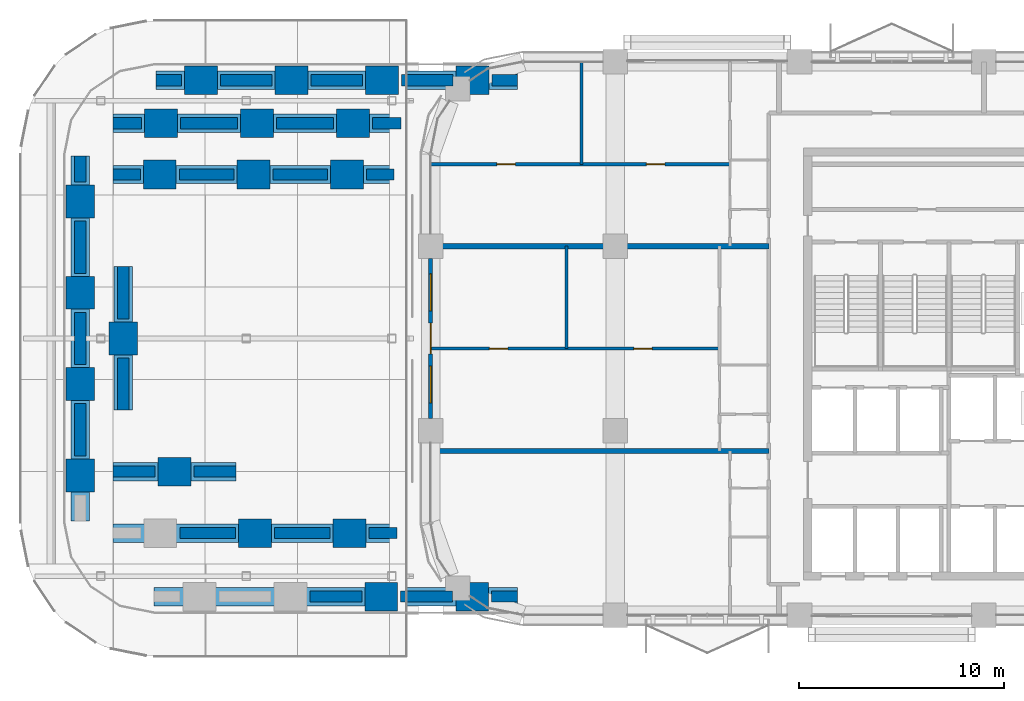
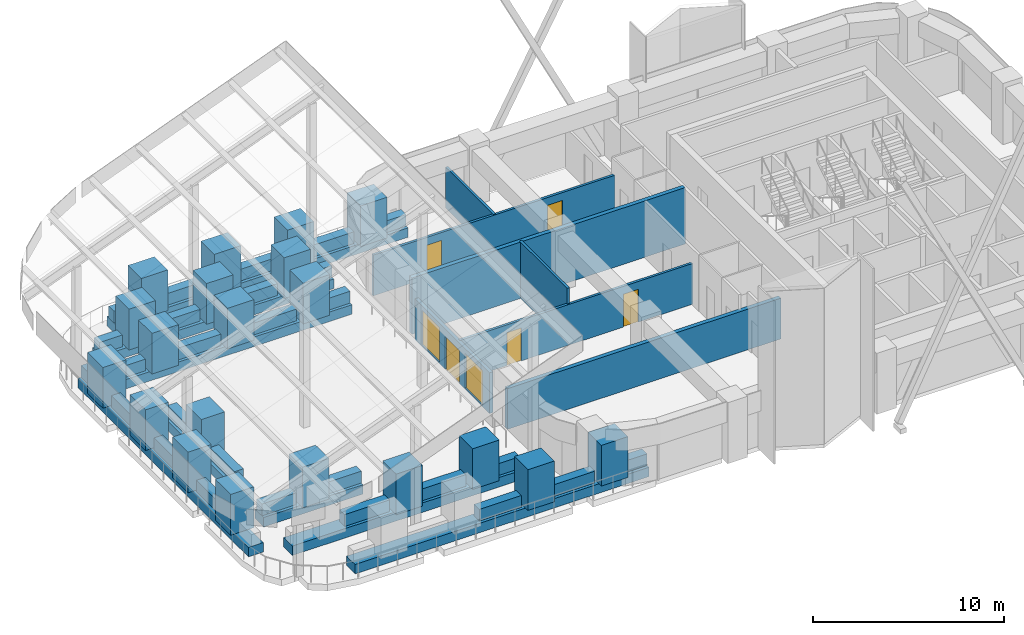
# One storey, part 8 of 13: 62 walls, 5 doors, 2 windows, 7 openings.
"""IFC4 building model written with IfcOpenShell, lengths in metres."""

from ifc_helpers import new_model, si_unit, direction, frame, frame_2d, origin, place, context, subcontext, project, spatial, rectangle, extrude, material, layer, layer_set, type_object, element, fill, save


model = new_model("IFC4")

# Units and contexts
model_context = context("Model", 3, precision=1e-05, world=origin(), true_north=direction((0.0, 1.0)))
body_context = subcontext(model_context, "Body", "Model", "MODEL_VIEW")
ifc_project = project(units=[si_unit("LENGTHUNIT", "METRE"), si_unit("AREAUNIT", "SQUARE_METRE"), si_unit("VOLUMEUNIT", "CUBIC_METRE"), si_unit("PLANEANGLEUNIT", "RADIAN"), si_unit("MASSUNIT", "GRAM", prefix="KILO")], contexts=[model_context])

# Site, building, storey
site_placement = place(None, origin())
site = spatial("IfcSite", under=ifc_project, at=site_placement, CompositionType="ELEMENT")
building_placement = place(site_placement, origin())
building = spatial("IfcBuilding", under=site, at=building_placement, Name="Tessera Arch", CompositionType="ELEMENT")
storey_placement = place(building_placement, frame((0.0, 0.0, 234.5)))
storey = spatial("IfcBuildingStorey", under=building, at=storey_placement, Name="L56", CompositionType="ELEMENT", Elevation=234.5)

# Wall, openings, windows, door
ifc_material_1 = material(Name="Aluminium cladding pale metal anodised", Category="aluminium")
ifc_layer_1 = layer(ifc_material_1, 0.199951171875)
ifc_layer_set_1 = layer_set([ifc_layer_1], Name="Envelope wall pale metal")
wall_type_1 = type_object("IfcWallType", Name="Envelope wall pale metal", PredefinedType="SOLIDWALL", material=ifc_layer_set_1)
wall_1_placement = place(storey_placement, frame((18.0, 44.39990234375, 0.0), z_axis=(0.0, 0.0, 1.0), x_axis=(0.0, -1.0, 0.0)))
wall_1 = element("IfcWall", 1, at=wall_1_placement, inside=storey, type_object=wall_type_1, Name="Door bay wall W18.27/1 L56", PredefinedType="SOLIDWALL", context=body_context, shape_type="SweptSolid", body=[
    extrude(rectangle(XDim=7.7998046875, YDim=0.199951171875, at=frame_2d((3.89990234375, 0.0))), origin(), (0.0, 0.0, 1.0), 2.60009765625),
])
opening_1_placement = place(wall_1_placement, frame((3.14990234375, 0.0, 0.0)))
opening_1 = element("IfcOpeningElement", 2, at=opening_1_placement, cuts=wall_1, Name="Opening L56-X01", PredefinedType="OPENING", context=body_context, shape_type="SweptSolid", body=[
    extrude(rectangle(XDim=1.5, YDim=2.10009765625, at=frame_2d((0.75, 1.050048828125))), frame((0.0, 0.10986328125, 0.0), z_axis=(0.0, -1.0, 0.0), x_axis=(1.0, 0.0, 0.0)), (0.0, 0.0, 1.0), 0.219970703125),
])
opening_2_placement = place(wall_1_placement, frame((0.75, 0.0, 0.10009765625)))
opening_2 = element("IfcOpeningElement", 3, at=opening_2_placement, cuts=wall_1, Name="Opening L56-SL15", PredefinedType="OPENING", context=body_context, shape_type="SweptSolid", body=[
    extrude(rectangle(XDim=1.800048828125, YDim=2.199951171875, at=frame_2d((0.89990234375, 1.10009765625))), frame((0.0, 0.10986328125, 0.0), z_axis=(0.0, -1.0, 0.0), x_axis=(1.0, 0.0, 0.0)), (0.0, 0.0, 1.0), 0.219970703125),
])
opening_3_placement = place(wall_1_placement, frame((5.25, 0.0, 0.10009765625)))
opening_3 = element("IfcOpeningElement", 4, at=opening_3_placement, cuts=wall_1, Name="Opening L56-SL16", PredefinedType="OPENING", context=body_context, shape_type="SweptSolid", body=[
    extrude(rectangle(XDim=1.800048828125, YDim=2.199951171875, at=frame_2d((0.89990234375, 1.10009765625))), frame((0.0, 0.10986328125, 0.0), z_axis=(0.0, -1.0, 0.0), x_axis=(1.0, 0.0, 0.0)), (0.0, 0.0, 1.0), 0.219970703125),
])
ifc_material_2 = material(Name="Clear low-e glass in aluminium frame", Category="aluminium")
window_type = type_object("IfcWindowType", Name="Sidelight fixed clear glass", PartitioningType="SINGLE_PANEL", PredefinedType="WINDOW", material=ifc_material_2)
window_1_placement = place(opening_2_placement, origin())
window_1 = element("IfcWindow", 5, at=window_1_placement, inside=storey, type_object=window_type, Name="Sidelight L56-X-W18.27/1-1", OverallHeight=2.199951171875, OverallWidth=1.800048828125, PartitioningType="SINGLE_PANEL", PredefinedType="WINDOW", context=body_context, shape_type="SweptSolid", body=[
    extrude(rectangle(XDim=1.800048828125, YDim=2.199951171875, at=frame_2d((0.89990234375, 1.10009765625))), frame((0.0, 0.030029296875, 0.0), z_axis=(0.0, -1.0, 0.0), x_axis=(1.0, 0.0, 0.0)), (0.0, 0.0, 1.0), 0.06005859375),
])
fill(opening_2, window_1)
window_2_placement = place(opening_3_placement, origin())
window_2 = element("IfcWindow", 6, at=window_2_placement, inside=storey, type_object=window_type, Name="Sidelight L56-X-W18.27/1-1", OverallHeight=2.199951171875, OverallWidth=1.800048828125, PartitioningType="SINGLE_PANEL", PredefinedType="WINDOW", context=body_context, shape_type="SweptSolid", body=[
    extrude(rectangle(XDim=1.800048828125, YDim=2.199951171875, at=frame_2d((0.89990234375, 1.10009765625))), frame((0.0, 0.030029296875, 0.0), z_axis=(0.0, -1.0, 0.0), x_axis=(1.0, 0.0, 0.0)), (0.0, 0.0, 1.0), 0.06005859375),
])
fill(opening_3, window_2)
ifc_material_3 = material(Name="Aluminium frame and clear glass", Category="aluminium")
door_type_1 = type_object("IfcDoorType", Name="Terrace door glazed double leaf", OperationType="DOUBLE_DOOR_SINGLE_SWING", PredefinedType="DOOR", material=ifc_material_3)
door_1_placement = place(opening_1_placement, origin())
door_1 = element("IfcDoor", 7, at=door_1_placement, inside=storey, type_object=door_type_1, Name="Door L56-X-W18.27/1-1 X01", OperationType="DOUBLE_DOOR_SINGLE_SWING", OverallHeight=2.10009765625, OverallWidth=1.5, PredefinedType="DOOR", context=body_context, shape_type="SweptSolid", body=[
    extrude(rectangle(XDim=1.5, YDim=2.10009765625, at=frame_2d((0.75, 1.050048828125))), frame((0.0, 0.02490234375, 0.0), z_axis=(0.0, -1.0, 0.0), x_axis=(1.0, 0.0, 0.0)), (0.0, 0.0, 1.0), 0.050048828125),
])
fill(opening_1, door_1)

# Wall, openings, doors
ifc_material_4 = material(Name="Gypsum board on steel stud", Category="steel")
ifc_layer_2 = layer(ifc_material_4, 0.14990234375)
ifc_layer_set_2 = layer_set([ifc_layer_2], Name="Partition 150")
wall_type_2 = type_object("IfcWallType", Name="Partition 150", PredefinedType="PARTITIONING", material=ifc_layer_set_2)
wall_2_placement = place(storey_placement, frame((18.025390625, 40.0, 0.0), z_axis=(0.0, 0.0, 1.0), x_axis=(1.0, 0.0, 0.0)))
wall_2 = element("IfcWall", 8, at=wall_2_placement, inside=storey, type_object=wall_type_2, Name="L56 partition 6", PredefinedType="PARTITIONING", context=body_context, shape_type="SweptSolid", body=[
    extrude(rectangle(XDim=14.07470703125, YDim=0.14990234375, at=frame_2d((7.037353515625, 0.0))), origin(), (0.0, 0.0, 1.0), 2.60009765625),
])
opening_4_placement = place(wall_2_placement, frame((9.887939453125, 0.0, 0.0)))
opening_4 = element("IfcOpeningElement", 9, at=opening_4_placement, cuts=wall_2, Name="Opening L56-D012", PredefinedType="OPENING", context=body_context, shape_type="SweptSolid", body=[
    extrude(rectangle(XDim=0.89990234375, YDim=2.10009765625, at=frame_2d((0.449951171875, 1.050048828125))), frame((0.0, 0.0849609375, 0.0), z_axis=(0.0, -1.0, 0.0), x_axis=(1.0, 0.0, 0.0)), (0.0, 0.0, 1.0), 0.169921875),
])
opening_5_placement = place(wall_2_placement, frame((2.837890625, 0.0, 0.0)))
opening_5 = element("IfcOpeningElement", 10, at=opening_5_placement, cuts=wall_2, Name="Opening L56-D013", PredefinedType="OPENING", context=body_context, shape_type="SweptSolid", body=[
    extrude(rectangle(XDim=0.89990234375, YDim=2.10009765625, at=frame_2d((0.449951171875, 1.050048828125))), frame((0.0, 0.0849609375, 0.0), z_axis=(0.0, -1.0, 0.0), x_axis=(1.0, 0.0, 0.0)), (0.0, 0.0, 1.0), 0.169921875),
])
ifc_material_5 = material(Name="Timber door leaf", Category="wood")
door_type_2 = type_object("IfcDoorType", Name="Room door 900 x 2100", OperationType="SINGLE_SWING_LEFT", PredefinedType="DOOR", material=ifc_material_5)
door_2_placement = place(opening_4_placement, origin())
door_2 = element("IfcDoor", 11, at=door_2_placement, inside=storey, type_object=door_type_2, Name="L56 door D012 type D01", OperationType="SINGLE_SWING_RIGHT", OverallHeight=2.10009765625, OverallWidth=0.89990234375, PredefinedType="DOOR", context=body_context, shape_type="SweptSolid", body=[
    extrude(rectangle(XDim=0.89990234375, YDim=2.10009765625, at=frame_2d((0.449951171875, 1.050048828125))), frame((0.0, 0.02490234375, 0.0), z_axis=(0.0, -1.0, 0.0), x_axis=(1.0, 0.0, 0.0)), (0.0, 0.0, 1.0), 0.050048828125),
])
fill(opening_4, door_2)
door_3_placement = place(opening_5_placement, origin())
door_3 = element("IfcDoor", 12, at=door_3_placement, inside=storey, type_object=door_type_2, Name="L56 door D013 type D01", OperationType="SINGLE_SWING_RIGHT", OverallHeight=2.10009765625, OverallWidth=0.89990234375, PredefinedType="DOOR", context=body_context, shape_type="SweptSolid", body=[
    extrude(rectangle(XDim=0.89990234375, YDim=2.10009765625, at=frame_2d((0.449951171875, 1.050048828125))), frame((0.0, 0.02490234375, 0.0), z_axis=(0.0, -1.0, 0.0), x_axis=(1.0, 0.0, 0.0)), (0.0, 0.0, 1.0), 0.050048828125),
])
fill(opening_5, door_3)

wall_3_placement = place(storey_placement, frame((18.0, 49.0, 0.0), z_axis=(0.0, 0.0, 1.0), x_axis=(1.0, 0.0, 0.0)))
wall_3 = element("IfcWall", 13, at=wall_3_placement, inside=storey, type_object=wall_type_2, Name="L56 partition 7", PredefinedType="PARTITIONING", context=body_context, shape_type="SweptSolid", body=[
    extrude(rectangle(XDim=14.60009765625, YDim=0.14990234375, at=frame_2d((7.300048828125, 0.0))), origin(), (0.0, 0.0, 1.0), 2.60009765625),
])
opening_6_placement = place(wall_3_placement, frame((10.53271484375, 0.0, 0.0)))
opening_6 = element("IfcOpeningElement", 14, at=opening_6_placement, cuts=wall_3, Name="Opening L56-D020", PredefinedType="OPENING", context=body_context, shape_type="SweptSolid", body=[
    extrude(rectangle(XDim=0.89990234375, YDim=2.10009765625, at=frame_2d((0.449951171875, 1.050048828125))), frame((0.0, 0.0849609375, 0.0), z_axis=(0.0, -1.0, 0.0), x_axis=(1.0, 0.0, 0.0)), (0.0, 0.0, 1.0), 0.169921875),
])
opening_7_placement = place(wall_3_placement, frame((3.23291015625, 0.0, 0.0)))
opening_7 = element("IfcOpeningElement", 15, at=opening_7_placement, cuts=wall_3, Name="Opening L56-D021", PredefinedType="OPENING", context=body_context, shape_type="SweptSolid", body=[
    extrude(rectangle(XDim=0.89990234375, YDim=2.10009765625, at=frame_2d((0.449951171875, 1.050048828125))), frame((0.0, 0.0849609375, 0.0), z_axis=(0.0, -1.0, 0.0), x_axis=(1.0, 0.0, 0.0)), (0.0, 0.0, 1.0), 0.169921875),
])
door_4_placement = place(opening_6_placement, origin())
door_4 = element("IfcDoor", 16, at=door_4_placement, inside=storey, type_object=door_type_2, Name="L56 door D020 type D01", OperationType="SINGLE_SWING_RIGHT", OverallHeight=2.10009765625, OverallWidth=0.89990234375, PredefinedType="DOOR", context=body_context, shape_type="SweptSolid", body=[
    extrude(rectangle(XDim=0.89990234375, YDim=2.10009765625, at=frame_2d((0.449951171875, 1.050048828125))), frame((0.0, 0.02490234375, 0.0), z_axis=(0.0, -1.0, 0.0), x_axis=(1.0, 0.0, 0.0)), (0.0, 0.0, 1.0), 0.050048828125),
])
fill(opening_6, door_4)
door_5_placement = place(opening_7_placement, origin())
door_5 = element("IfcDoor", 17, at=door_5_placement, inside=storey, type_object=door_type_2, Name="L56 door D021 type D01", OperationType="SINGLE_SWING_RIGHT", OverallHeight=2.10009765625, OverallWidth=0.89990234375, PredefinedType="DOOR", context=body_context, shape_type="SweptSolid", body=[
    extrude(rectangle(XDim=0.89990234375, YDim=2.10009765625, at=frame_2d((0.449951171875, 1.050048828125))), frame((0.0, 0.02490234375, 0.0), z_axis=(0.0, -1.0, 0.0), x_axis=(1.0, 0.0, 0.0)), (0.0, 0.0, 1.0), 0.050048828125),
])
fill(opening_7, door_5)

# Walls
wall_4_placement = place(storey_placement, frame((24.626953125, 40.0, 0.0), z_axis=(0.0, 0.0, 1.0), x_axis=(0.0, 1.0, 0.0)))
element("IfcWall", 18, at=wall_4_placement, inside=storey, type_object=wall_type_2, Name="L56 partition 8", PredefinedType="PARTITIONING", context=body_context, shape_type="SweptSolid", body=[
    extrude(rectangle(XDim=5.0, YDim=0.14990234375, at=frame_2d((2.5, 0.0))), origin(), (0.0, 0.0, 1.0), 3.60009765625),
])
wall_5_placement = place(storey_placement, frame((25.365966796875, 49.0, 0.0), z_axis=(0.0, 0.0, 1.0), x_axis=(0.0, 1.0, 0.0)))
element("IfcWall", 19, at=wall_5_placement, inside=storey, type_object=wall_type_2, Name="L56 partition 9", PredefinedType="PARTITIONING", context=body_context, shape_type="SweptSolid", body=[
    extrude(rectangle(XDim=5.0, YDim=0.14990234375, at=frame_2d((2.5, 0.0))), origin(), (0.0, 0.0, 1.0), 2.60009765625),
])
ifc_material_6 = material(Name="Double gypsum board on twin steel stud with acoustic mineral wool", Category="steel")
ifc_layer_3 = layer(ifc_material_6, 0.25)
ifc_layer_set_3 = layer_set([ifc_layer_3], Name="Party wall 250 EI 60")
wall_type_3 = type_object("IfcWallType", Name="Party wall 250 EI 60", PredefinedType="PARTITIONING", material=ifc_layer_set_3)
wall_6_placement = place(storey_placement, frame((18.0, 35.0, 0.0), z_axis=(0.0, 0.0, 1.0), x_axis=(1.0, 0.0, 0.0)))
element("IfcWall", 20, at=wall_6_placement, inside=storey, type_object=wall_type_3, Name="L56 partition 16", PredefinedType="PARTITIONING", context=body_context, shape_type="SweptSolid", body=[
    extrude(rectangle(XDim=16.5, YDim=0.25, at=frame_2d((8.25, 0.0))), origin(), (0.0, 0.0, 1.0), 2.60009765625),
])
wall_7_placement = place(storey_placement, frame((18.0, 45.0, 0.0), z_axis=(0.0, 0.0, 1.0), x_axis=(1.0, 0.0, 0.0)))
element("IfcWall", 21, at=wall_7_placement, inside=storey, type_object=wall_type_3, Name="L56 partition 18", PredefinedType="PARTITIONING", context=body_context, shape_type="SweptSolid", body=[
    extrude(rectangle(XDim=16.5, YDim=0.25, at=frame_2d((8.25, 0.0))), origin(), (0.0, 0.0, 1.0), 3.60009765625),
])
ifc_material_7 = material(Name="Precast concrete C40/50", Category="concrete")
ifc_layer_4 = layer(ifc_material_7, 1.39990234375)
ifc_layer_set_4 = layer_set([ifc_layer_4], Name="Planter bed 1400 wide")
wall_type_4 = type_object("IfcWallType", Name="Planter bed 1400 wide", PredefinedType="SOLIDWALL", material=ifc_layer_set_4)
for number, where, z_axis, x_axis, name in (
    (22, (8.626708984375, 31.0, 0.60009765625), (0.0, 0.0, 1.0), (1.0, 0.0, 0.0), "Tree planting on bed garden bed 1 2"),
    (23, (13.24462890625, 31.0, 0.60009765625), (0.0, 0.0, 1.0), (1.0, 0.0, 0.0), "Tree planting on bed garden bed 1 3"),
    (24, (4.7021484375, 34.0, 0.60009765625), (0.0, 0.0, 1.0), (1.0, 0.0, 0.0), "Tree planting on bed garden bed 2 1"),
):
    element("IfcWall", number, at=place(storey_placement, frame(where, z_axis=z_axis, x_axis=x_axis)), inside=storey, type_object=wall_type_4, Name=name, PredefinedType="SOLIDWALL", context=body_context, shape_type="SweptSolid", body=[
        extrude(rectangle(XDim=1.60009765625, YDim=1.39990234375, at=frame_2d((0.800048828125, 0.0))), origin(), (0.0, 0.0, 1.0), 2.599853515625),
    ])
for number, where, z_axis, x_axis, name in (
    (25, (3.9833984375, 48.5, 0.60009765625), (0.0, 0.0, 1.0), (1.0, 0.0, 0.0), "Tree planting on bed garden bed 3 1"),
    (26, (8.550048828125, 48.5, 0.60009765625), (0.0, 0.0, 1.0), (1.0, 0.0, 0.0), "Tree planting on bed garden bed 3 2"),
):
    element("IfcWall", number, at=place(storey_placement, frame(where, z_axis=z_axis, x_axis=x_axis)), inside=storey, type_object=wall_type_4, Name=name, PredefinedType="SOLIDWALL", context=body_context, shape_type="SweptSolid", body=[
        extrude(rectangle(XDim=1.599853515625, YDim=1.39990234375, at=frame_2d((0.7998046875, 0.0))), origin(), (0.0, 0.0, 1.0), 2.599853515625),
    ])
for number, where, z_axis, x_axis, name in (
    (27, (13.11669921875, 48.5, 0.60009765625), (0.0, 0.0, 1.0), (1.0, 0.0, 0.0), "Tree planting on bed garden bed 3 3"),
    (28, (4.0419921875, 51.0, 0.60009765625), (0.0, 0.0, 1.0), (1.0, 0.0, 0.0), "Tree planting on bed garden bed 4 1"),
    (29, (8.726318359375, 51.0, 0.60009765625), (0.0, 0.0, 1.0), (1.0, 0.0, 0.0), "Tree planting on bed garden bed 4 2"),
    (30, (13.410400390625, 51.0, 0.60009765625), (0.0, 0.0, 1.0), (1.0, 0.0, 0.0), "Tree planting on bed garden bed 4 3"),
    (31, (3.0, 39.699951171875, 0.60009765625), (0.0, 0.0, 1.0), (0.0, 1.0, 0.0), "Tree planting on bed garden bed 5 1"),
    (32, (0.900146484375, 33.015625, 0.60009765625), (0.0, 0.0, 1.0), (0.0, 1.0, 0.0), "Tree planting on bed terrace bed 1-1 1"),
    (33, (0.900146484375, 37.47119140625, 0.60009765625), (0.0, 0.0, 1.0), (0.0, 1.0, 0.0), "Tree planting on bed terrace bed 1-1 2"),
    (34, (0.900146484375, 41.927001953125, 0.60009765625), (0.0, 0.0, 1.0), (0.0, 1.0, 0.0), "Tree planting on bed terrace bed 1-1 3"),
    (35, (0.89990234375, 46.382568359375, 0.60009765625), (0.0, 0.0, 1.0), (0.0, 1.0, 0.0), "Tree planting on bed terrace bed 1-1 4"),
    (36, (5.994873046875, 53.099853515625, 0.60009765625), (0.0, 0.0, 1.0), (1.0, 0.0, 0.0), "Tree planting on bed terrace bed 1-2 1"),
    (37, (10.40869140625, 53.099853515625, 0.60009765625), (0.0, 0.0, 1.0), (1.0, 0.0, 0.0), "Tree planting on bed terrace bed 1-2 2"),
    (38, (14.82275390625, 53.099853515625, 0.60009765625), (0.0, 0.0, 1.0), (1.0, 0.0, 0.0), "Tree planting on bed terrace bed 1-2 3"),
):
    element("IfcWall", number, at=place(storey_placement, frame(where, z_axis=z_axis, x_axis=x_axis)), inside=storey, type_object=wall_type_4, Name=name, PredefinedType="SOLIDWALL", context=body_context, shape_type="SweptSolid", body=[
        extrude(rectangle(XDim=1.60009765625, YDim=1.39990234375, at=frame_2d((0.800048828125, 0.0))), origin(), (0.0, 0.0, 1.0), 2.599853515625),
    ])
wall_8_placement = place(storey_placement, frame((19.23681640625, 53.10009765625, 0.60009765625), z_axis=(0.0, 0.0, 1.0), x_axis=(1.0, 0.0, 0.0)))
element("IfcWall", 39, at=wall_8_placement, inside=storey, type_object=wall_type_4, Name="Tree planting on bed terrace bed 1-2 4", PredefinedType="SOLIDWALL", context=body_context, shape_type="SweptSolid", body=[
    extrude(rectangle(XDim=1.599853515625, YDim=1.39990234375, at=frame_2d((0.7998046875, 0.0))), origin(), (0.0, 0.0, 1.0), 2.599853515625),
])
wall_9_placement = place(storey_placement, frame((20.825927734375, 27.89990234375, 0.60009765625), z_axis=(0.0, 0.0, 1.0), x_axis=(-1.0, 0.0, 0.0)))
element("IfcWall", 40, at=wall_9_placement, inside=storey, type_object=wall_type_4, Name="Tree planting on bed terrace bed 2-1 1", PredefinedType="SOLIDWALL", context=body_context, shape_type="SweptSolid", body=[
    extrude(rectangle(XDim=1.60009765625, YDim=1.39990234375, at=frame_2d((0.800048828125, 0.0))), origin(), (0.0, 0.0, 1.0), 2.599853515625),
])
wall_10_placement = place(storey_placement, frame((16.39013671875, 27.89990234375, 0.60009765625), z_axis=(0.0, 0.0, 1.0), x_axis=(-1.0, 0.0, 0.0)))
element("IfcWall", 41, at=wall_10_placement, inside=storey, type_object=wall_type_4, Name="Tree planting on bed terrace bed 2-1 2", PredefinedType="SOLIDWALL", context=body_context, shape_type="SweptSolid", body=[
    extrude(rectangle(XDim=1.599853515625, YDim=1.39990234375, at=frame_2d((0.7998046875, 0.0))), origin(), (0.0, 0.0, 1.0), 2.599853515625),
])
ifc_material_8 = material(Name="Precast concrete C40/50", Category="concrete")
ifc_layer_5 = layer(ifc_material_8, 0.5400390625)
ifc_layer_set_5 = layer_set([ifc_layer_5], Name="Planter bed 540 wide")
wall_type_5 = type_object("IfcWallType", Name="Planter bed 540 wide", PredefinedType="SOLIDWALL", material=ifc_layer_set_5)
wall_11_placement = place(storey_placement, frame((5.759033203125, 31.0, 0.60009765625), z_axis=(0.0, 0.0, 1.0), x_axis=(1.0, 0.0, 0.0)))
element("IfcWall", 42, at=wall_11_placement, inside=storey, type_object=wall_type_5, Name="PLANTER shrub mass on garden bed 1 2", PredefinedType="SOLIDWALL", context=body_context, shape_type="SweptSolid", body=[
    extrude(rectangle(XDim=2.7177734375, YDim=0.5400390625, at=frame_2d((1.35888671875, 0.0))), origin(), (0.0, 0.0, 1.0), 0.75),
])
wall_12_placement = place(storey_placement, frame((10.376708984375, 31.0, 0.60009765625), z_axis=(0.0, 0.0, 1.0), x_axis=(1.0, 0.0, 0.0)))
element("IfcWall", 43, at=wall_12_placement, inside=storey, type_object=wall_type_5, Name="PLANTER shrub mass on garden bed 1 3", PredefinedType="SOLIDWALL", context=body_context, shape_type="SweptSolid", body=[
    extrude(rectangle(XDim=2.718017578125, YDim=0.5400390625, at=frame_2d((1.35888671875, 0.0))), origin(), (0.0, 0.0, 1.0), 0.75),
])
wall_13_placement = place(storey_placement, frame((14.994873046875, 31.0, 0.60009765625), z_axis=(0.0, 0.0, 1.0), x_axis=(1.0, 0.0, 0.0)))
element("IfcWall", 44, at=wall_13_placement, inside=storey, type_object=wall_type_5, Name="PLANTER shrub mass on garden bed 1 4", PredefinedType="SOLIDWALL", context=body_context, shape_type="SweptSolid", body=[
    extrude(rectangle(XDim=1.35888671875, YDim=0.5400390625, at=frame_2d((0.679443359375, 0.0))), origin(), (0.0, 0.0, 1.0), 0.75),
])
for number, where, z_axis, x_axis, name in (
    (45, (2.5, 34.0, 0.60009765625), (0.0, 0.0, 1.0), (1.0, 0.0, 0.0), "PLANTER shrub mass on garden bed 2 1"),
    (46, (6.4521484375, 34.0, 0.60009765625), (0.0, 0.0, 1.0), (1.0, 0.0, 0.0), "PLANTER shrub mass on garden bed 2 2"),
):
    element("IfcWall", number, at=place(storey_placement, frame(where, z_axis=z_axis, x_axis=x_axis)), inside=storey, type_object=wall_type_5, Name=name, PredefinedType="SOLIDWALL", context=body_context, shape_type="SweptSolid", body=[
        extrude(rectangle(XDim=2.05224609375, YDim=0.5400390625, at=frame_2d((1.026123046875, 0.0))), origin(), (0.0, 0.0, 1.0), 0.75),
    ])
wall_14_placement = place(storey_placement, frame((2.5, 48.5, 0.60009765625), z_axis=(0.0, 0.0, 1.0), x_axis=(1.0, 0.0, 0.0)))
element("IfcWall", 47, at=wall_14_placement, inside=storey, type_object=wall_type_5, Name="PLANTER shrub mass on garden bed 3 1", PredefinedType="SOLIDWALL", context=body_context, shape_type="SweptSolid", body=[
    extrude(rectangle(XDim=1.333251953125, YDim=0.5400390625, at=frame_2d((0.66650390625, 0.0))), origin(), (0.0, 0.0, 1.0), 0.75),
])
wall_15_placement = place(storey_placement, frame((5.7333984375, 48.5, 0.60009765625), z_axis=(0.0, 0.0, 1.0), x_axis=(1.0, 0.0, 0.0)))
element("IfcWall", 48, at=wall_15_placement, inside=storey, type_object=wall_type_5, Name="PLANTER shrub mass on garden bed 3 2", PredefinedType="SOLIDWALL", context=body_context, shape_type="SweptSolid", body=[
    extrude(rectangle(XDim=2.66650390625, YDim=0.5400390625, at=frame_2d((1.333251953125, 0.0))), origin(), (0.0, 0.0, 1.0), 0.75),
])
wall_16_placement = place(storey_placement, frame((10.300048828125, 48.5, 0.60009765625), z_axis=(0.0, 0.0, 1.0), x_axis=(1.0, 0.0, 0.0)))
element("IfcWall", 49, at=wall_16_placement, inside=storey, type_object=wall_type_5, Name="PLANTER shrub mass on garden bed 3 3", PredefinedType="SOLIDWALL", context=body_context, shape_type="SweptSolid", body=[
    extrude(rectangle(XDim=2.666748046875, YDim=0.5400390625, at=frame_2d((1.33349609375, 0.0))), origin(), (0.0, 0.0, 1.0), 0.75),
])
wall_17_placement = place(storey_placement, frame((14.86669921875, 48.5, 0.60009765625), z_axis=(0.0, 0.0, 1.0), x_axis=(1.0, 0.0, 0.0)))
element("IfcWall", 50, at=wall_17_placement, inside=storey, type_object=wall_type_5, Name="PLANTER shrub mass on garden bed 3 4", PredefinedType="SOLIDWALL", context=body_context, shape_type="SweptSolid", body=[
    extrude(rectangle(XDim=1.333251953125, YDim=0.5400390625, at=frame_2d((0.66650390625, 0.0))), origin(), (0.0, 0.0, 1.0), 0.75),
])
wall_18_placement = place(storey_placement, frame((2.5, 51.0, 0.60009765625), z_axis=(0.0, 0.0, 1.0), x_axis=(1.0, 0.0, 0.0)))
element("IfcWall", 51, at=wall_18_placement, inside=storey, type_object=wall_type_5, Name="PLANTER shrub mass on garden bed 4 1", PredefinedType="SOLIDWALL", context=body_context, shape_type="SweptSolid", body=[
    extrude(rectangle(XDim=1.39208984375, YDim=0.5400390625, at=frame_2d((0.696044921875, 0.0))), origin(), (0.0, 0.0, 1.0), 0.75),
])
wall_19_placement = place(storey_placement, frame((5.7919921875, 51.0, 0.60009765625), z_axis=(0.0, 0.0, 1.0), x_axis=(1.0, 0.0, 0.0)))
element("IfcWall", 52, at=wall_19_placement, inside=storey, type_object=wall_type_5, Name="PLANTER shrub mass on garden bed 4 2", PredefinedType="SOLIDWALL", context=body_context, shape_type="SweptSolid", body=[
    extrude(rectangle(XDim=2.784423828125, YDim=0.5400390625, at=frame_2d((1.39208984375, 0.0))), origin(), (0.0, 0.0, 1.0), 0.75),
])
wall_20_placement = place(storey_placement, frame((10.476318359375, 51.0, 0.60009765625), z_axis=(0.0, 0.0, 1.0), x_axis=(1.0, 0.0, 0.0)))
element("IfcWall", 53, at=wall_20_placement, inside=storey, type_object=wall_type_5, Name="PLANTER shrub mass on garden bed 4 3", PredefinedType="SOLIDWALL", context=body_context, shape_type="SweptSolid", body=[
    extrude(rectangle(XDim=2.7841796875, YDim=0.5400390625, at=frame_2d((1.39208984375, 0.0))), origin(), (0.0, 0.0, 1.0), 0.75),
])
wall_21_placement = place(storey_placement, frame((15.160400390625, 51.0, 0.60009765625), z_axis=(0.0, 0.0, 1.0), x_axis=(1.0, 0.0, 0.0)))
element("IfcWall", 54, at=wall_21_placement, inside=storey, type_object=wall_type_5, Name="PLANTER shrub mass on garden bed 4 4", PredefinedType="SOLIDWALL", context=body_context, shape_type="SweptSolid", body=[
    extrude(rectangle(XDim=1.39208984375, YDim=0.5400390625, at=frame_2d((0.696044921875, 0.0))), origin(), (0.0, 0.0, 1.0), 0.75),
])
for number, where, z_axis, x_axis, name in (
    (55, (3.0, 37.0, 0.60009765625), (0.0, 0.0, 1.0), (0.0, 1.0, 0.0), "PLANTER shrub mass on garden bed 5 1"),
    (56, (3.0, 41.449951171875, 0.60009765625), (0.0, 0.0, 1.0), (0.0, 1.0, 0.0), "PLANTER shrub mass on garden bed 5 2"),
):
    element("IfcWall", number, at=place(storey_placement, frame(where, z_axis=z_axis, x_axis=x_axis)), inside=storey, type_object=wall_type_5, Name=name, PredefinedType="SOLIDWALL", context=body_context, shape_type="SweptSolid", body=[
        extrude(rectangle(XDim=2.550048828125, YDim=0.5400390625, at=frame_2d((1.27490234375, 0.0))), origin(), (0.0, 0.0, 1.0), 0.75),
    ])
wall_22_placement = place(storey_placement, frame((0.900146484375, 34.765625, 0.60009765625), z_axis=(0.0, 0.0, 1.0), x_axis=(0.0, 1.0, 0.0)))
element("IfcWall", 57, at=wall_22_placement, inside=storey, type_object=wall_type_5, Name="PLANTER shrub mass on terrace bed 1-1 2", PredefinedType="SOLIDWALL", context=body_context, shape_type="SweptSolid", body=[
    extrude(rectangle(XDim=2.5556640625, YDim=0.5400390625, at=frame_2d((1.27783203125, 0.0))), origin(), (0.0, 0.0, 1.0), 0.75),
])
wall_23_placement = place(storey_placement, frame((0.900146484375, 39.22119140625, 0.60009765625), z_axis=(0.0, 0.0, 1.0), x_axis=(0.0, 1.0, 0.0)))
element("IfcWall", 58, at=wall_23_placement, inside=storey, type_object=wall_type_5, Name="PLANTER shrub mass on terrace bed 1-1 3", PredefinedType="SOLIDWALL", context=body_context, shape_type="SweptSolid", body=[
    extrude(rectangle(XDim=2.555908203125, YDim=0.5400390625, at=frame_2d((1.27783203125, 0.0))), origin(), (0.0, 0.0, 1.0), 0.75),
])
wall_24_placement = place(storey_placement, frame((0.900146484375, 43.677001953125, 0.60009765625), z_axis=(0.0, 0.0, 1.0), x_axis=(-9.5529232e-05, 0.999999995437, 0.0)))
element("IfcWall", 59, at=wall_24_placement, inside=storey, type_object=wall_type_5, Name="PLANTER shrub mass on terrace bed 1-1 4", PredefinedType="SOLIDWALL", context=body_context, shape_type="SweptSolid", body=[
    extrude(rectangle(XDim=2.5556640625, YDim=0.5400390625, at=frame_2d((1.27783203125, 0.0))), origin(), (0.0, 0.0, 1.0), 0.75),
])
wall_25_placement = place(storey_placement, frame((0.89990234375, 48.132568359375, 0.60009765625), z_axis=(0.0, 0.0, 1.0), x_axis=(0.0, 1.0, 0.0)))
element("IfcWall", 60, at=wall_25_placement, inside=storey, type_object=wall_type_5, Name="PLANTER shrub mass on terrace bed 1-1 5", PredefinedType="SOLIDWALL", context=body_context, shape_type="SweptSolid", body=[
    extrude(rectangle(XDim=1.27783203125, YDim=0.5400390625, at=frame_2d((0.638916015625, 0.0))), origin(), (0.0, 0.0, 1.0), 0.75),
])
wall_26_placement = place(storey_placement, frame((4.587890625, 53.099853515625, 0.60009765625), z_axis=(0.0, 0.0, 1.0), x_axis=(1.0, 0.0, 0.0)))
element("IfcWall", 61, at=wall_26_placement, inside=storey, type_object=wall_type_5, Name="PLANTER shrub mass on terrace bed 1-2 1", PredefinedType="SOLIDWALL", context=body_context, shape_type="SweptSolid", body=[
    extrude(rectangle(XDim=1.257080078125, YDim=0.5400390625, at=frame_2d((0.62841796875, 0.0))), origin(), (0.0, 0.0, 1.0), 0.75),
])
wall_27_placement = place(storey_placement, frame((7.744873046875, 53.099853515625, 0.60009765625), z_axis=(0.0, 0.0, 1.0), x_axis=(1.0, 0.0, 0.0)))
element("IfcWall", 62, at=wall_27_placement, inside=storey, type_object=wall_type_5, Name="PLANTER shrub mass on terrace bed 1-2 2", PredefinedType="SOLIDWALL", context=body_context, shape_type="SweptSolid", body=[
    extrude(rectangle(XDim=2.513916015625, YDim=0.5400390625, at=frame_2d((1.2568359375, 0.0))), origin(), (0.0, 0.0, 1.0), 0.75),
])
wall_28_placement = place(storey_placement, frame((12.15869140625, 53.099853515625, 0.60009765625), z_axis=(0.0, 0.0, 1.0), x_axis=(1.0, 0.0, 0.0)))
element("IfcWall", 63, at=wall_28_placement, inside=storey, type_object=wall_type_5, Name="PLANTER shrub mass on terrace bed 1-2 3", PredefinedType="SOLIDWALL", context=body_context, shape_type="SweptSolid", body=[
    extrude(rectangle(XDim=2.51416015625, YDim=0.5400390625, at=frame_2d((1.257080078125, 0.0))), origin(), (0.0, 0.0, 1.0), 0.75),
])
wall_29_placement = place(storey_placement, frame((16.57275390625, 53.099853515625, 0.60009765625), z_axis=(0.0, 0.0, 1.0), x_axis=(0.999999995284, 9.7115664e-05, 0.0)))
element("IfcWall", 64, at=wall_29_placement, inside=storey, type_object=wall_type_5, Name="PLANTER shrub mass on terrace bed 1-2 4", PredefinedType="SOLIDWALL", context=body_context, shape_type="SweptSolid", body=[
    extrude(rectangle(XDim=2.513916015625, YDim=0.5400390625, at=frame_2d((1.2568359375, 0.0))), origin(), (0.0, 0.0, 1.0), 0.75),
])
wall_30_placement = place(storey_placement, frame((20.98681640625, 53.10009765625, 0.60009765625), z_axis=(0.0, 0.0, 1.0), x_axis=(1.0, 0.0, 0.0)))
element("IfcWall", 65, at=wall_30_placement, inside=storey, type_object=wall_type_5, Name="PLANTER shrub mass on terrace bed 1-2 5", PredefinedType="SOLIDWALL", context=body_context, shape_type="SweptSolid", body=[
    extrude(rectangle(XDim=1.2568359375, YDim=0.5400390625, at=frame_2d((0.62841796875, 0.0))), origin(), (0.0, 0.0, 1.0), 0.75),
])
wall_31_placement = place(storey_placement, frame((22.24365234375, 27.89990234375, 0.60009765625), z_axis=(0.0, 0.0, 1.0), x_axis=(-1.0, 0.0, 0.0)))
element("IfcWall", 66, at=wall_31_placement, inside=storey, type_object=wall_type_5, Name="PLANTER shrub mass on terrace bed 2-1 1", PredefinedType="SOLIDWALL", context=body_context, shape_type="SweptSolid", body=[
    extrude(rectangle(XDim=1.267822265625, YDim=0.5400390625, at=frame_2d((0.6337890625, 0.0))), origin(), (0.0, 0.0, 1.0), 0.75),
])
for number, where, z_axis, x_axis, name in (
    (67, (19.075927734375, 27.89990234375, 0.60009765625), (0.0, 0.0, 1.0), (-1.0, 0.0, 0.0), "PLANTER shrub mass on terrace bed 2-1 2"),
    (68, (14.64013671875, 27.89990234375, 0.60009765625), (0.0, 0.0, 1.0), (-1.0, 0.0, 0.0), "PLANTER shrub mass on terrace bed 2-1 3"),
):
    element("IfcWall", number, at=place(storey_placement, frame(where, z_axis=z_axis, x_axis=x_axis)), inside=storey, type_object=wall_type_5, Name=name, PredefinedType="SOLIDWALL", context=body_context, shape_type="SweptSolid", body=[
        extrude(rectangle(XDim=2.53564453125, YDim=0.5400390625, at=frame_2d((1.267822265625, 0.0))), origin(), (0.0, 0.0, 1.0), 0.75),
    ])
ifc_material_9 = material(Name="Precast concrete C40/50", Category="concrete")
ifc_layer_6 = layer(ifc_material_9, 0.89990234375)
ifc_layer_set_6 = layer_set([ifc_layer_6], Name="Planter bed 900 wide")
wall_type_6 = type_object("IfcWallType", Name="Planter bed 900 wide", PredefinedType="SOLIDWALL", material=ifc_layer_set_6)
wall_32_placement = place(storey_placement, frame((2.5, 31.0, 0.0), z_axis=(0.0, 0.0, 1.0), x_axis=(1.0, 0.0, 0.0)))
element("IfcWall", 69, at=wall_32_placement, inside=storey, type_object=wall_type_6, Name="PLANTER garden bed 1", PredefinedType="SOLIDWALL", context=body_context, shape_type="SweptSolid", body=[
    extrude(rectangle(XDim=13.853759765625, YDim=0.89990234375, at=frame_2d((6.9267578125, 0.0))), origin(), (0.0, 0.0, 1.0), 0.60009765625),
])
wall_33_placement = place(storey_placement, frame((2.5, 34.0, 0.0), z_axis=(0.0, 0.0, 1.0), x_axis=(1.0, 0.0, 0.0)))
element("IfcWall", 70, at=wall_33_placement, inside=storey, type_object=wall_type_6, Name="PLANTER garden bed 2", PredefinedType="SOLIDWALL", context=body_context, shape_type="SweptSolid", body=[
    extrude(rectangle(XDim=6.00439453125, YDim=0.89990234375, at=frame_2d((3.002197265625, 0.0))), origin(), (0.0, 0.0, 1.0), 0.60009765625),
])
wall_34_placement = place(storey_placement, frame((2.5, 48.5, 0.0), z_axis=(0.0, 0.0, 1.0), x_axis=(1.0, 0.0, 0.0)))
element("IfcWall", 71, at=wall_34_placement, inside=storey, type_object=wall_type_6, Name="PLANTER garden bed 3", PredefinedType="SOLIDWALL", context=body_context, shape_type="SweptSolid", body=[
    extrude(rectangle(XDim=13.699951171875, YDim=0.89990234375, at=frame_2d((6.85009765625, 0.0))), origin(), (0.0, 0.0, 1.0), 0.60009765625),
])
wall_35_placement = place(storey_placement, frame((2.5, 51.0, 0.0), z_axis=(0.0, 0.0, 1.0), x_axis=(1.0, 0.0, 0.0)))
element("IfcWall", 72, at=wall_35_placement, inside=storey, type_object=wall_type_6, Name="PLANTER garden bed 4", PredefinedType="SOLIDWALL", context=body_context, shape_type="SweptSolid", body=[
    extrude(rectangle(XDim=14.052490234375, YDim=0.89990234375, at=frame_2d((7.0263671875, 0.0))), origin(), (0.0, 0.0, 1.0), 0.60009765625),
])
wall_36_placement = place(storey_placement, frame((3.0, 37.0, 0.0), z_axis=(0.0, 0.0, 1.0), x_axis=(0.0, 1.0, 0.0)))
element("IfcWall", 73, at=wall_36_placement, inside=storey, type_object=wall_type_6, Name="PLANTER garden bed 5", PredefinedType="SOLIDWALL", context=body_context, shape_type="SweptSolid", body=[
    extrude(rectangle(XDim=7.0, YDim=0.89990234375, at=frame_2d((3.5, 0.0))), origin(), (0.0, 0.0, 1.0), 0.60009765625),
])
wall_37_placement = place(storey_placement, frame((0.900146484375, 31.587890625, 0.0), z_axis=(0.0, 0.0, 1.0), x_axis=(-1.3698442e-05, 0.999999999906, 0.0)))
element("IfcWall", 74, at=wall_37_placement, inside=storey, type_object=wall_type_6, Name="PLANTER terrace bed 1-1", PredefinedType="SOLIDWALL", context=body_context, shape_type="SweptSolid", body=[
    extrude(rectangle(XDim=17.822509765625, YDim=0.89990234375, at=frame_2d((8.9111328125, 0.0))), origin(), (0.0, 0.0, 1.0), 0.60009765625),
])
wall_38_placement = place(storey_placement, frame((4.587890625, 53.099853515625, 0.0), z_axis=(0.0, 0.0, 1.0), x_axis=(0.999999999904, 1.3827816e-05, 0.0)))
element("IfcWall", 75, at=wall_38_placement, inside=storey, type_object=wall_type_6, Name="PLANTER terrace bed 1-2", PredefinedType="SOLIDWALL", context=body_context, shape_type="SweptSolid", body=[
    extrude(rectangle(XDim=17.65576171875, YDim=0.89990234375, at=frame_2d((8.827880859375, 0.0))), origin(), (0.0, 0.0, 1.0), 0.60009765625),
])
wall_39_placement = place(storey_placement, frame((22.24365234375, 27.89990234375, 0.0), z_axis=(0.0, 0.0, 1.0), x_axis=(-1.0, 0.0, 0.0)))
element("IfcWall", 76, at=wall_39_placement, inside=storey, type_object=wall_type_6, Name="PLANTER terrace bed 2-1", PredefinedType="SOLIDWALL", context=body_context, shape_type="SweptSolid", body=[
    extrude(rectangle(XDim=17.74267578125, YDim=0.89990234375, at=frame_2d((8.871337890625, 0.0))), origin(), (0.0, 0.0, 1.0), 0.60009765625),
])

save(model, "model.ifc")
